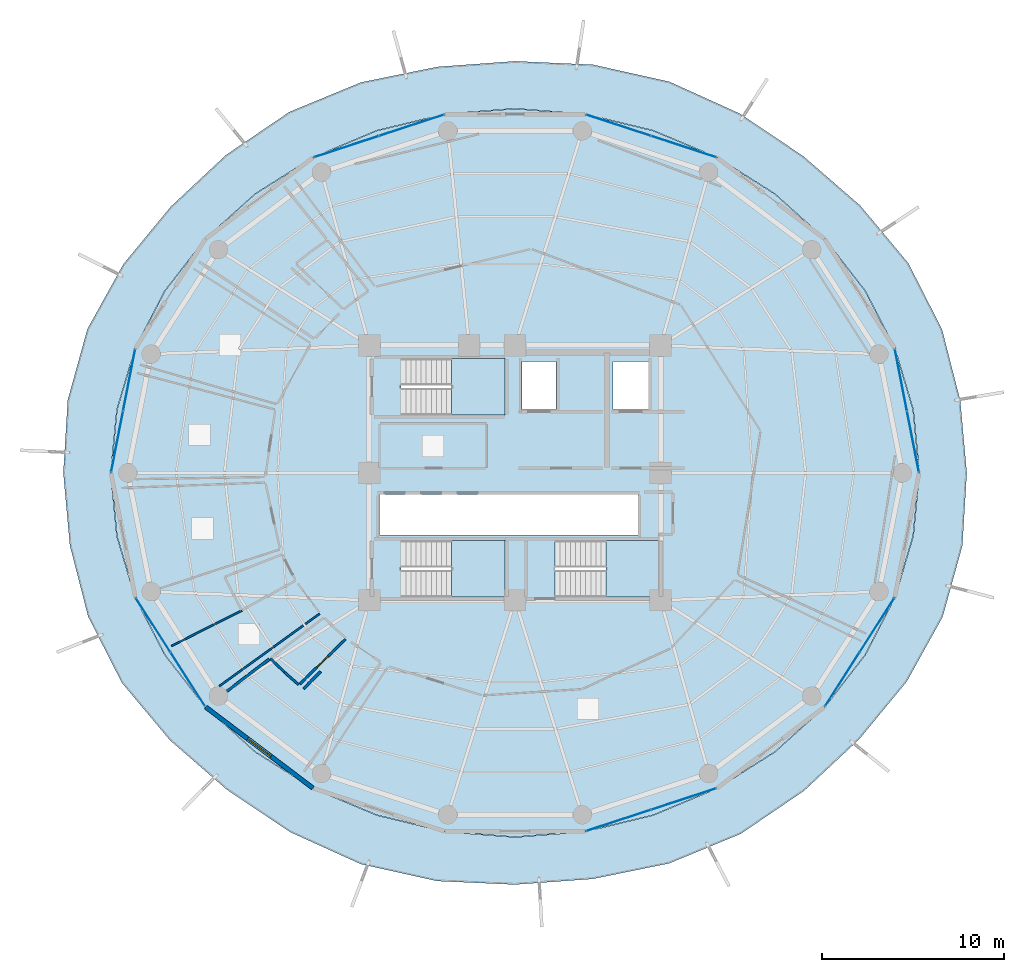
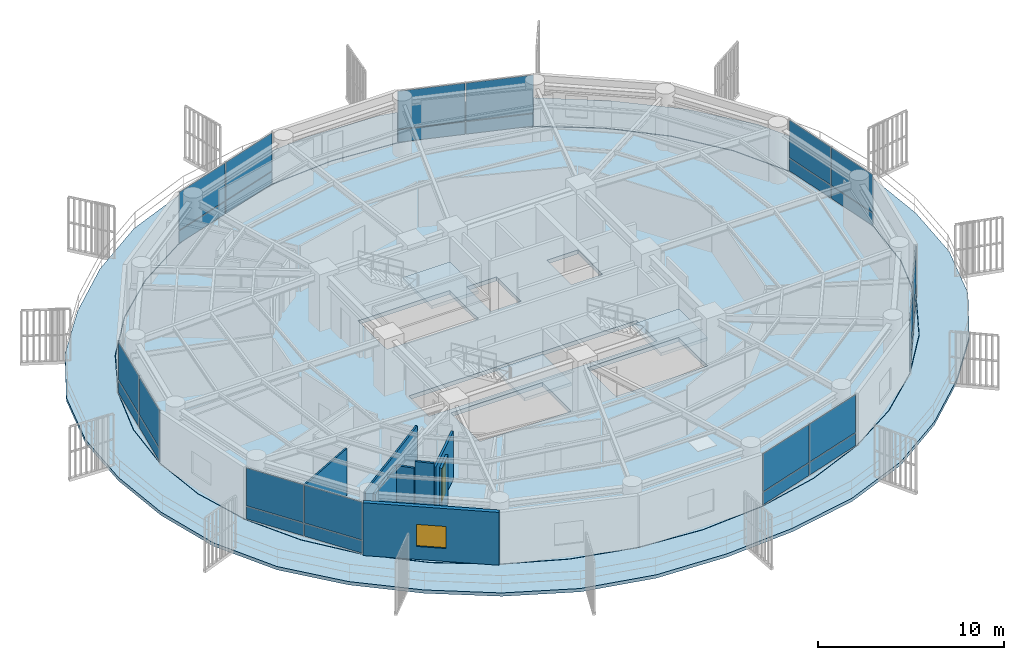
# One storey, part 22 of 30: 28 plates, 8 walls, 5 slabs, 1 door, 1 window, 2 openings, 10 elements without a shape of their own.
"""IFC4 building model written with IfcOpenShell, lengths in metres."""

from ifc_helpers import new_model, si_unit, direction, frame, frame_2d, origin, origin_2d, place, context, subcontext, project, spatial, polyline, rectangle, outline, extrude, source, transform, mapped, material, layer, layer_set, type_object, element, fill, aggregate, save


model = new_model("IFC4")

# Units and contexts
model_context = context("Model", 3, precision=1e-05, world=origin(), true_north=direction((0.0, 1.0)))
body_context = subcontext(model_context, "Body", "Model", "MODEL_VIEW")
ifc_project = project(units=[si_unit("LENGTHUNIT", "METRE"), si_unit("AREAUNIT", "SQUARE_METRE"), si_unit("VOLUMEUNIT", "CUBIC_METRE"), si_unit("PLANEANGLEUNIT", "RADIAN"), si_unit("MASSUNIT", "GRAM", prefix="KILO")], contexts=[model_context])

# Site, building, storey
site_placement = place(None, origin())
site = spatial("IfcSite", under=ifc_project, at=site_placement, CompositionType="ELEMENT")
building_placement = place(site_placement, origin())
building = spatial("IfcBuilding", under=site, at=building_placement, Name="Kelanora Arch Commons", CompositionType="ELEMENT")
storey_placement = place(building_placement, frame((0.0, 0.0, 208.199951171875)))
storey = spatial("IfcBuildingStorey", under=building, at=storey_placement, Name="L53", CompositionType="ELEMENT", Elevation=208.199951171875)

# Stair, slab
ifc_material_1 = material(Name="Concrete C40/50", Category="concrete")
stair_type = type_object("IfcStairType", Name="STR-DL-375", PredefinedType="HALF_TURN_STAIR", material=ifc_material_1)
stair_1_placement = place(storey_placement, origin())
stair_1 = element("IfcStair", 1, at=stair_1_placement, inside=storey, type_object=stair_type, Name="L53 ST-T1", PredefinedType="HALF_TURN_STAIR")
ifc_layer_1 = layer(ifc_material_1, 0.199951171875)
ifc_layer_set_1 = layer_set([ifc_layer_1], Name="Concrete C40/50")
slab_type_1 = type_object("IfcSlabType", Name="SLB-STAIR-LND", PredefinedType="LANDING", material=ifc_layer_set_1)
slab_1_placement = place(storey_placement, frame((0.0, 0.0, 1.675048828125)))
slab_1 = element("IfcSlab", 2, at=slab_1_placement, type_object=slab_type_1, Name="ST-T1 landing 1", PredefinedType="LANDING", context=body_context, shape_type="SweptSolid", body=[
    extrude(outline(polyline([(70.52001953125, 61.179931640625), (73.43994140625, 61.179931640625), (73.43994140625, 64.2900390625), (70.52001953125, 64.2900390625), (70.52001953125, 61.179931640625)])), origin(), (0.0, 0.0, 1.0), 0.199951171875),
])
aggregate(stair_1, [slab_1])

stair_2_placement = place(storey_placement, origin())
stair_2 = element("IfcStair", 3, at=stair_2_placement, inside=storey, type_object=stair_type, Name="L53 ST-T2", PredefinedType="HALF_TURN_STAIR")
slab_2_placement = place(storey_placement, frame((0.0, 0.0, 1.675048828125)))
slab_2 = element("IfcSlab", 4, at=slab_2_placement, type_object=slab_type_1, Name="ST-T2 landing 1", PredefinedType="LANDING", context=body_context, shape_type="SweptSolid", body=[
    extrude(outline(polyline([(79.0, 51.179931640625), (81.919921875, 51.179931640625), (81.919921875, 54.2900390625), (79.0, 54.2900390625), (79.0, 51.179931640625)])), origin(), (0.0, 0.0, 1.0), 0.199951171875),
])
aggregate(stair_2, [slab_2])

stair_3_placement = place(storey_placement, origin())
stair_3 = element("IfcStair", 5, at=stair_3_placement, inside=storey, type_object=stair_type, Name="L53 ST-T3", PredefinedType="HALF_TURN_STAIR")
slab_3_placement = place(storey_placement, frame((0.0, 0.0, 1.675048828125)))
slab_3 = element("IfcSlab", 6, at=slab_3_placement, type_object=slab_type_1, Name="ST-T3 landing 1", PredefinedType="LANDING", context=body_context, shape_type="SweptSolid", body=[
    extrude(outline(polyline([(70.52001953125, 51.179931640625), (73.43994140625, 51.179931640625), (73.43994140625, 54.2900390625), (70.52001953125, 54.2900390625), (70.52001953125, 51.179931640625)])), origin(), (0.0, 0.0, 1.0), 0.199951171875),
])
aggregate(stair_3, [slab_3])

# Slabs
ifc_layer_2 = layer(ifc_material_1, 0.260009765625)
ifc_layer_set_2 = layer_set([ifc_layer_2], Name="Concrete C40/50")
slab_type_2 = type_object("IfcSlabType", Name="SLB-TWR-TYP", PredefinedType="FLOOR", material=ifc_layer_set_2)
slab_4_placement = place(storey_placement, frame((0.0, 0.0, -0.260009765625)))
element("IfcSlab", 7, at=slab_4_placement, inside=storey, type_object=slab_type_2, Name="Tower Floor Slab L53", PredefinedType="FLOOR", context=body_context, shape_type="SweptSolid", body=[
    extrude(outline(polyline([(96.199951171875, 58.0), (95.86279296875, 61.472900390625), (94.861083984375, 64.84033203125), (93.225830078125, 68.0), (91.006103515625, 70.855712890625), (88.27001953125, 73.32080078125), (85.10009765625, 75.320556640625), (81.5927734375, 76.7939453125), (77.85498046875, 77.6962890625), (74.0, 78.0), (70.14501953125, 77.6962890625), (66.4072265625, 76.7939453125), (62.89990234375, 75.320556640625), (59.72998046875, 73.32080078125), (56.993896484375, 70.855712890625), (54.774169921875, 68.0), (53.138916015625, 64.84033203125), (52.13720703125, 61.472900390625), (51.800048828125, 58.0), (52.13720703125, 54.527099609375), (53.138916015625, 51.15966796875), (54.774169921875, 48.0), (56.993896484375, 45.144287109375), (59.72998046875, 42.67919921875), (62.89990234375, 40.679443359375), (66.4072265625, 39.2060546875), (70.14501953125, 38.3037109375), (74.0, 38.0), (77.85498046875, 38.3037109375), (81.5927734375, 39.2060546875), (85.10009765625, 40.679443359375), (88.27001953125, 42.67919921875), (91.006103515625, 45.144287109375), (93.225830078125, 48.0), (94.861083984375, 51.15966796875), (95.86279296875, 54.527099609375), (96.199951171875, 58.0)]), holes=[polyline([(73.431884765625, 51.18798828125), (67.72802734375, 51.18798828125), (67.72802734375, 54.281982421875), (73.431884765625, 54.281982421875), (73.431884765625, 51.18798828125)]), polyline([(76.2080078125, 51.18798828125), (76.2080078125, 54.281982421875), (81.912109375, 54.281982421875), (81.912109375, 51.18798828125), (76.2080078125, 51.18798828125)]), polyline([(66.550048828125, 54.60009765625), (66.550048828125, 56.800048828125), (80.75, 56.800048828125), (80.75, 54.60009765625), (66.550048828125, 54.60009765625)]), polyline([(73.431884765625, 61.18798828125), (67.72802734375, 61.18798828125), (67.72802734375, 64.281982421875), (73.431884765625, 64.281982421875), (73.431884765625, 61.18798828125)]), polyline([(74.3798828125, 61.47998046875), (74.3798828125, 64.1201171875), (76.260009765625, 64.1201171875), (76.260009765625, 61.47998046875), (74.3798828125, 61.47998046875)]), polyline([(79.3798828125, 61.47998046875), (79.3798828125, 64.1201171875), (81.320068359375, 64.1201171875), (81.320068359375, 61.47998046875), (79.3798828125, 61.47998046875)])]), origin(), (0.0, 0.0, 1.0), 0.260009765625),
])
ifc_layer_3 = layer(ifc_material_1, 0.219970703125)
ifc_layer_set_3 = layer_set([ifc_layer_3], Name="Concrete C40/50")
slab_type_3 = type_object("IfcSlabType", Name="SLB-WAVE-BAL", PredefinedType="FLOOR", material=ifc_layer_set_3)
slab_5_placement = place(storey_placement, frame((0.0, 0.0, -0.219970703125)))
element("IfcSlab", 8, at=slab_5_placement, inside=storey, type_object=slab_type_3, Name="Sinusoidal Wave Balcony Slab L53", PredefinedType="FLOOR", context=body_context, shape_type="SweptSolid", body=[
    extrude(outline(polyline([(98.818359375, 58.0), (98.458740234375, 61.981201171875), (97.456787109375, 65.88916015625), (95.605224609375, 69.52490234375), (92.96826171875, 72.68310546875), (89.84033203125, 75.398193359375), (86.356201171875, 77.735595703125), (82.477783203125, 79.492919921875), (78.28857421875, 80.42529296875), (74.0, 80.618408203125), (69.72998046875, 80.30859375), (65.534912109375, 79.4541015625), (61.595703125, 77.827880859375), (58.11328125, 75.459716796875), (55.088134765625, 72.630615234375), (52.482177734375, 69.468994140625), (50.505126953125, 65.904296875), (49.42529296875, 62.00390625), (49.181640625, 58.0), (49.541259765625, 54.018798828125), (50.543212890625, 50.11083984375), (52.394775390625, 46.47509765625), (55.03173828125, 43.31689453125), (58.15966796875, 40.601806640625), (61.643798828125, 38.264404296875), (65.522216796875, 36.507080078125), (69.71142578125, 35.57470703125), (74.0, 35.381591796875), (78.27001953125, 35.69140625), (82.465087890625, 36.5458984375), (86.404296875, 38.172119140625), (89.88671875, 40.540283203125), (92.911865234375, 43.369384765625), (95.517822265625, 46.531005859375), (97.494873046875, 50.095703125), (98.57470703125, 53.99609375), (98.818359375, 58.0)]), holes=[polyline([(95.88232421875, 54.523681640625), (94.8798828125, 51.15283203125), (93.2431640625, 47.989990234375), (91.021484375, 45.13134765625), (88.28271484375, 42.663818359375), (85.110107421875, 40.662109375), (81.599609375, 39.1875), (77.8583984375, 38.2841796875), (74.0, 37.97998046875), (70.1416015625, 38.2841796875), (66.400390625, 39.1875), (62.889892578125, 40.662109375), (59.71728515625, 42.663818359375), (56.978515625, 45.13134765625), (54.7568359375, 47.989990234375), (53.1201171875, 51.15283203125), (52.11767578125, 54.523681640625), (51.780029296875, 58.0), (52.11767578125, 61.476318359375), (53.1201171875, 64.84716796875), (54.7568359375, 68.010009765625), (56.978515625, 70.86865234375), (59.71728515625, 73.336181640625), (62.889892578125, 75.337890625), (66.400390625, 76.8125), (70.1416015625, 77.7158203125), (74.0, 78.02001953125), (77.8583984375, 77.7158203125), (81.599609375, 76.8125), (85.110107421875, 75.337890625), (88.28271484375, 73.336181640625), (91.021484375, 70.86865234375), (93.2431640625, 68.010009765625), (94.8798828125, 64.84716796875), (95.88232421875, 61.476318359375), (96.219970703125, 58.0), (95.88232421875, 54.523681640625)])]), origin(), (0.0, 0.0, 1.0), 0.219970703125),
])

# Curtain wall, plates
ifc_material_2 = material(Name="Terracotta ceramic-fritted low-E glass and aluminium", Category="masonry")
ifc_layer_4 = layer(ifc_material_2, 0.175048828125)
ifc_layer_set_4 = layer_set([ifc_layer_4], Name="Terracotta ceramic-fritted low-E glass and aluminium")
curtain_wall_type = type_object("IfcCurtainWallType", Name="CW-SYS-02", PredefinedType="NOTDEFINED", material=ifc_layer_set_4)
curtain_wall_1_placement = place(storey_placement, origin())
curtain_wall_1 = element("IfcCurtainWall", 9, at=curtain_wall_1_placement, inside=storey, type_object=curtain_wall_type, Name="Unitised Curtain Wall L53-B00", PredefinedType="NOTDEFINED")
ifc_material_3 = material(Name="Terracotta ceramic-fritted double glazing", Category="masonry")
ifc_layer_5 = layer(ifc_material_3, 0.028076171875)
ifc_layer_set_5 = layer_set([ifc_layer_5], Name="Terracotta ceramic-fritted double glazing")
plate_type = type_object("IfcPlateType", Name="CWP-FRIT", PredefinedType="CURTAIN_PANEL", material=ifc_layer_set_5)
shared_shape_1 = source(origin(), body_context, "Body", "SweptSolid", [
    extrude(rectangle(XDim=3.380126953125, YDim=0.028076171875, at=origin_2d()), origin(), (0.0, 0.0, 1.0), 0.81005859375),
])
plate_1_placement = place(storey_placement, frame((95.861083984375, 59.732177734375, 0.06005859375), z_axis=(0.0, 0.0, 1.0), x_axis=(-0.192068926335, 0.981381438349, 0.0)))
plate_1 = element("IfcPlate", 10, at=plate_1_placement, type_object=plate_type, Name="CW-02 panel 1.1", PredefinedType="CURTAIN_PANEL", context=body_context, shape_type="MappedRepresentation", body=[
    mapped(shared_shape_1, transform((0.0, 0.0, 0.0), scale=1.0)),
])
plate_2_placement = place(storey_placement, frame((95.2001953125, 63.108154296875, 0.06005859375), z_axis=(0.0, 0.0, 1.0), x_axis=(-0.192068926335, 0.981381438349, 0.0)))
plate_2 = element("IfcPlate", 11, at=plate_2_placement, type_object=plate_type, Name="CW-02 panel 2.1", PredefinedType="CURTAIN_PANEL", context=body_context, shape_type="MappedRepresentation", body=[
    mapped(shared_shape_1, transform((0.0, 0.0, 0.0), scale=1.0)),
])

curtain_wall_2_placement = place(storey_placement, origin())
curtain_wall_2 = element("IfcCurtainWall", 12, at=curtain_wall_2_placement, inside=storey, type_object=curtain_wall_type, Name="Unitised Curtain Wall L53-B08", PredefinedType="NOTDEFINED")
plate_3_placement = place(storey_placement, frame((52.7998046875, 63.108154296875, 0.06005859375), z_axis=(0.0, 0.0, 1.0), x_axis=(-0.192068926335, -0.981381438349, 0.0)))
plate_3 = element("IfcPlate", 13, at=plate_3_placement, type_object=plate_type, Name="CW-02 panel 1.1", PredefinedType="CURTAIN_PANEL", context=body_context, shape_type="MappedRepresentation", body=[
    mapped(shared_shape_1, transform((0.0, 0.0, 0.0), scale=1.0)),
])
plate_4_placement = place(storey_placement, frame((52.138916015625, 59.732177734375, 0.06005859375), z_axis=(0.0, 0.0, 1.0), x_axis=(-0.192068926335, -0.981381438349, 0.0)))
plate_4 = element("IfcPlate", 14, at=plate_4_placement, type_object=plate_type, Name="CW-02 panel 2.1", PredefinedType="CURTAIN_PANEL", context=body_context, shape_type="MappedRepresentation", body=[
    mapped(shared_shape_1, transform((0.0, 0.0, 0.0), scale=1.0)),
])

# Plate
shared_shape_2 = source(origin(), body_context, "Body", "SweptSolid", [
    extrude(rectangle(XDim=3.380126953125, YDim=0.028076171875, at=origin_2d()), origin(), (0.0, 0.0, 1.0), 2.485107421875),
])
plate_5_placement = place(storey_placement, frame((95.861083984375, 59.732177734375, 0.93017578125), z_axis=(0.0, 0.0, 1.0), x_axis=(-0.192068926335, 0.981381438349, 0.0)))
plate_5 = element("IfcPlate", 15, at=plate_5_placement, type_object=plate_type, Name="CW-02 panel 1.2", PredefinedType="CURTAIN_PANEL", context=body_context, shape_type="MappedRepresentation", body=[
    mapped(shared_shape_2, transform((0.0, 0.0, 0.0), scale=1.0)),
])

plate_6_placement = place(storey_placement, frame((95.2001953125, 63.108154296875, 0.93017578125), z_axis=(0.0, 0.0, 1.0), x_axis=(-0.192068926335, 0.981381438349, 0.0)))
plate_6 = element("IfcPlate", 16, at=plate_6_placement, type_object=plate_type, Name="CW-02 panel 2.2", PredefinedType="CURTAIN_PANEL", context=body_context, shape_type="MappedRepresentation", body=[
    mapped(shared_shape_2, transform((0.0, 0.0, 0.0), scale=1.0)),
])

aggregate(curtain_wall_1, [plate_1, plate_5, plate_2, plate_6])

plate_7_placement = place(storey_placement, frame((52.7998046875, 63.108154296875, 0.93017578125), z_axis=(0.0, 0.0, 1.0), x_axis=(-0.192068926335, -0.981381438349, 0.0)))
plate_7 = element("IfcPlate", 17, at=plate_7_placement, type_object=plate_type, Name="CW-02 panel 1.2", PredefinedType="CURTAIN_PANEL", context=body_context, shape_type="MappedRepresentation", body=[
    mapped(shared_shape_2, transform((0.0, 0.0, 0.0), scale=1.0)),
])

plate_8_placement = place(storey_placement, frame((52.138916015625, 59.732177734375, 0.93017578125), z_axis=(0.0, 0.0, 1.0), x_axis=(-0.192068926335, -0.981381438349, 0.0)))
plate_8 = element("IfcPlate", 18, at=plate_8_placement, type_object=plate_type, Name="CW-02 panel 2.2", PredefinedType="CURTAIN_PANEL", context=body_context, shape_type="MappedRepresentation", body=[
    mapped(shared_shape_2, transform((0.0, 0.0, 0.0), scale=1.0)),
])

aggregate(curtain_wall_2, [plate_3, plate_7, plate_4, plate_8])

# Curtain wall, plates
curtain_wall_3_placement = place(storey_placement, origin())
curtain_wall_3 = element("IfcCurtainWall", 19, at=curtain_wall_3_placement, inside=storey, type_object=curtain_wall_type, Name="Unitised Curtain Wall L53-B03", PredefinedType="NOTDEFINED")
shared_shape_3 = source(origin(), body_context, "Body", "SweptSolid", [
    extrude(rectangle(XDim=3.707275390625, YDim=0.028076171875, at=origin_2d()), origin(), (0.0, 0.0, 1.0), 0.81005859375),
])
plate_9_placement = place(storey_placement, frame((83.267333984375, 75.92138671875, 0.06005859375), z_axis=(0.0, 0.0, 1.0), x_axis=(-0.950219124029, 0.311582439059, 0.0)))
plate_9 = element("IfcPlate", 20, at=plate_9_placement, type_object=plate_type, Name="CW-02 panel 1.1", PredefinedType="CURTAIN_PANEL", context=body_context, shape_type="MappedRepresentation", body=[
    mapped(shared_shape_3, transform((0.0, 0.0, 0.0), scale=1.0)),
])
plate_10_placement = place(storey_placement, frame((79.687744140625, 77.09521484375, 0.06005859375), z_axis=(0.0, 0.0, 1.0), x_axis=(-0.950219124029, 0.311582439059, 0.0)))
plate_10 = element("IfcPlate", 21, at=plate_10_placement, type_object=plate_type, Name="CW-02 panel 2.1", PredefinedType="CURTAIN_PANEL", context=body_context, shape_type="MappedRepresentation", body=[
    mapped(shared_shape_3, transform((0.0, 0.0, 0.0), scale=1.0)),
])

curtain_wall_4_placement = place(storey_placement, origin())
curtain_wall_4 = element("IfcCurtainWall", 22, at=curtain_wall_4_placement, inside=storey, type_object=curtain_wall_type, Name="Unitised Curtain Wall L53-B05", PredefinedType="NOTDEFINED")
plate_11_placement = place(storey_placement, frame((68.312255859375, 77.09521484375, 0.06005859375), z_axis=(0.0, 0.0, 1.0), x_axis=(-0.950219124029, -0.311582439059, 0.0)))
plate_11 = element("IfcPlate", 23, at=plate_11_placement, type_object=plate_type, Name="CW-02 panel 1.1", PredefinedType="CURTAIN_PANEL", context=body_context, shape_type="MappedRepresentation", body=[
    mapped(shared_shape_3, transform((0.0, 0.0, 0.0), scale=1.0)),
])
plate_12_placement = place(storey_placement, frame((64.732666015625, 75.92138671875, 0.06005859375), z_axis=(0.0, 0.0, 1.0), x_axis=(-0.950219124029, -0.311582439059, 0.0)))
plate_12 = element("IfcPlate", 24, at=plate_12_placement, type_object=plate_type, Name="CW-02 panel 2.1", PredefinedType="CURTAIN_PANEL", context=body_context, shape_type="MappedRepresentation", body=[
    mapped(shared_shape_3, transform((0.0, 0.0, 0.0), scale=1.0)),
])

curtain_wall_5_placement = place(storey_placement, origin())
curtain_wall_5 = element("IfcCurtainWall", 25, at=curtain_wall_5_placement, inside=storey, type_object=curtain_wall_type, Name="Unitised Curtain Wall L53-B14", PredefinedType="NOTDEFINED")
plate_13_placement = place(storey_placement, frame((79.687744140625, 38.90478515625, 0.06005859375), z_axis=(0.0, 0.0, 1.0), x_axis=(0.950219124029, 0.311582439059, 0.0)))
plate_13 = element("IfcPlate", 26, at=plate_13_placement, type_object=plate_type, Name="CW-02 panel 1.1", PredefinedType="CURTAIN_PANEL", context=body_context, shape_type="MappedRepresentation", body=[
    mapped(shared_shape_3, transform((0.0, 0.0, 0.0), scale=1.0)),
])
plate_14_placement = place(storey_placement, frame((83.267333984375, 40.07861328125, 0.06005859375), z_axis=(0.0, 0.0, 1.0), x_axis=(0.950219124029, 0.311582439059, 0.0)))
plate_14 = element("IfcPlate", 27, at=plate_14_placement, type_object=plate_type, Name="CW-02 panel 2.1", PredefinedType="CURTAIN_PANEL", context=body_context, shape_type="MappedRepresentation", body=[
    mapped(shared_shape_3, transform((0.0, 0.0, 0.0), scale=1.0)),
])

# Plate
shared_shape_4 = source(origin(), body_context, "Body", "SweptSolid", [
    extrude(rectangle(XDim=3.707275390625, YDim=0.028076171875, at=origin_2d()), origin(), (0.0, 0.0, 1.0), 2.485107421875),
])
plate_15_placement = place(storey_placement, frame((83.267333984375, 75.92138671875, 0.93017578125), z_axis=(0.0, 0.0, 1.0), x_axis=(-0.950219124029, 0.311582439059, 0.0)))
plate_15 = element("IfcPlate", 28, at=plate_15_placement, type_object=plate_type, Name="CW-02 panel 1.2", PredefinedType="CURTAIN_PANEL", context=body_context, shape_type="MappedRepresentation", body=[
    mapped(shared_shape_4, transform((0.0, 0.0, 0.0), scale=1.0)),
])

plate_16_placement = place(storey_placement, frame((79.687744140625, 77.09521484375, 0.93017578125), z_axis=(0.0, 0.0, 1.0), x_axis=(-0.950219124029, 0.311582439059, 0.0)))
plate_16 = element("IfcPlate", 29, at=plate_16_placement, type_object=plate_type, Name="CW-02 panel 2.2", PredefinedType="CURTAIN_PANEL", context=body_context, shape_type="MappedRepresentation", body=[
    mapped(shared_shape_4, transform((0.0, 0.0, 0.0), scale=1.0)),
])

aggregate(curtain_wall_3, [plate_9, plate_15, plate_10, plate_16])

plate_17_placement = place(storey_placement, frame((68.312255859375, 77.09521484375, 0.93017578125), z_axis=(0.0, 0.0, 1.0), x_axis=(-0.950219124029, -0.311582439059, 0.0)))
plate_17 = element("IfcPlate", 30, at=plate_17_placement, type_object=plate_type, Name="CW-02 panel 1.2", PredefinedType="CURTAIN_PANEL", context=body_context, shape_type="MappedRepresentation", body=[
    mapped(shared_shape_4, transform((0.0, 0.0, 0.0), scale=1.0)),
])

plate_18_placement = place(storey_placement, frame((64.732666015625, 75.92138671875, 0.93017578125), z_axis=(0.0, 0.0, 1.0), x_axis=(-0.950219124029, -0.311582439059, 0.0)))
plate_18 = element("IfcPlate", 31, at=plate_18_placement, type_object=plate_type, Name="CW-02 panel 2.2", PredefinedType="CURTAIN_PANEL", context=body_context, shape_type="MappedRepresentation", body=[
    mapped(shared_shape_4, transform((0.0, 0.0, 0.0), scale=1.0)),
])

aggregate(curtain_wall_4, [plate_11, plate_17, plate_12, plate_18])

plate_19_placement = place(storey_placement, frame((79.687744140625, 38.90478515625, 0.93017578125), z_axis=(0.0, 0.0, 1.0), x_axis=(0.950219124029, 0.311582439059, 0.0)))
plate_19 = element("IfcPlate", 32, at=plate_19_placement, type_object=plate_type, Name="CW-02 panel 1.2", PredefinedType="CURTAIN_PANEL", context=body_context, shape_type="MappedRepresentation", body=[
    mapped(shared_shape_4, transform((0.0, 0.0, 0.0), scale=1.0)),
])

plate_20_placement = place(storey_placement, frame((83.267333984375, 40.07861328125, 0.93017578125), z_axis=(0.0, 0.0, 1.0), x_axis=(0.950219124029, 0.311582439059, 0.0)))
plate_20 = element("IfcPlate", 33, at=plate_20_placement, type_object=plate_type, Name="CW-02 panel 2.2", PredefinedType="CURTAIN_PANEL", context=body_context, shape_type="MappedRepresentation", body=[
    mapped(shared_shape_4, transform((0.0, 0.0, 0.0), scale=1.0)),
])

aggregate(curtain_wall_5, [plate_13, plate_19, plate_14, plate_20])

# Curtain wall, plates
curtain_wall_6_placement = place(storey_placement, origin())
curtain_wall_6 = element("IfcCurtainWall", 34, at=curtain_wall_6_placement, inside=storey, type_object=curtain_wall_type, Name="Unitised Curtain Wall L53-B10", PredefinedType="NOTDEFINED")
shared_shape_5 = source(origin(), body_context, "Body", "SweptSolid", [
    extrude(rectangle(XDim=3.46728515625, YDim=0.028076171875, at=origin_2d()), origin(), (0.0, 0.0, 1.0), 0.81005859375),
])
plate_21_placement = place(storey_placement, frame((54.11474609375, 49.63671875, 0.06005859375), z_axis=(0.0, 0.0, 1.0), x_axis=(0.539559338994, -0.84194757539, 0.0)))
plate_21 = element("IfcPlate", 35, at=plate_21_placement, type_object=plate_type, Name="CW-02 panel 1.1", PredefinedType="CURTAIN_PANEL", context=body_context, shape_type="MappedRepresentation", body=[
    mapped(shared_shape_5, transform((0.0, 0.0, 0.0), scale=1.0)),
])
plate_22_placement = place(storey_placement, frame((56.017822265625, 46.6669921875, 0.06005859375), z_axis=(0.0, 0.0, 1.0), x_axis=(0.539559338994, -0.84194757539, 0.0)))
plate_22 = element("IfcPlate", 36, at=plate_22_placement, type_object=plate_type, Name="CW-02 panel 2.1", PredefinedType="CURTAIN_PANEL", context=body_context, shape_type="MappedRepresentation", body=[
    mapped(shared_shape_5, transform((0.0, 0.0, 0.0), scale=1.0)),
])

curtain_wall_7_placement = place(storey_placement, origin())
curtain_wall_7 = element("IfcCurtainWall", 37, at=curtain_wall_7_placement, inside=storey, type_object=curtain_wall_type, Name="Unitised Curtain Wall L53-B16", PredefinedType="NOTDEFINED")
plate_23_placement = place(storey_placement, frame((91.982177734375, 46.6669921875, 0.06005859375), z_axis=(0.0, 0.0, 1.0), x_axis=(0.539559338994, 0.84194757539, 0.0)))
plate_23 = element("IfcPlate", 38, at=plate_23_placement, type_object=plate_type, Name="CW-02 panel 1.1", PredefinedType="CURTAIN_PANEL", context=body_context, shape_type="MappedRepresentation", body=[
    mapped(shared_shape_5, transform((0.0, 0.0, 0.0), scale=1.0)),
])
plate_24_placement = place(storey_placement, frame((93.88525390625, 49.63671875, 0.06005859375), z_axis=(0.0, 0.0, 1.0), x_axis=(0.539559338994, 0.84194757539, 0.0)))
plate_24 = element("IfcPlate", 39, at=plate_24_placement, type_object=plate_type, Name="CW-02 panel 2.1", PredefinedType="CURTAIN_PANEL", context=body_context, shape_type="MappedRepresentation", body=[
    mapped(shared_shape_5, transform((0.0, 0.0, 0.0), scale=1.0)),
])

# Plate
shared_shape_6 = source(origin(), body_context, "Body", "SweptSolid", [
    extrude(rectangle(XDim=3.46728515625, YDim=0.028076171875, at=origin_2d()), origin(), (0.0, 0.0, 1.0), 2.485107421875),
])
plate_25_placement = place(storey_placement, frame((54.11474609375, 49.63671875, 0.93017578125), z_axis=(0.0, 0.0, 1.0), x_axis=(0.539559338994, -0.84194757539, 0.0)))
plate_25 = element("IfcPlate", 40, at=plate_25_placement, type_object=plate_type, Name="CW-02 panel 1.2", PredefinedType="CURTAIN_PANEL", context=body_context, shape_type="MappedRepresentation", body=[
    mapped(shared_shape_6, transform((0.0, 0.0, 0.0), scale=1.0)),
])

plate_26_placement = place(storey_placement, frame((56.017822265625, 46.6669921875, 0.93017578125), z_axis=(0.0, 0.0, 1.0), x_axis=(0.539559338994, -0.84194757539, 0.0)))
plate_26 = element("IfcPlate", 41, at=plate_26_placement, type_object=plate_type, Name="CW-02 panel 2.2", PredefinedType="CURTAIN_PANEL", context=body_context, shape_type="MappedRepresentation", body=[
    mapped(shared_shape_6, transform((0.0, 0.0, 0.0), scale=1.0)),
])

aggregate(curtain_wall_6, [plate_21, plate_25, plate_22, plate_26])

plate_27_placement = place(storey_placement, frame((91.982177734375, 46.6669921875, 0.93017578125), z_axis=(0.0, 0.0, 1.0), x_axis=(0.539559338994, 0.84194757539, 0.0)))
plate_27 = element("IfcPlate", 42, at=plate_27_placement, type_object=plate_type, Name="CW-02 panel 1.2", PredefinedType="CURTAIN_PANEL", context=body_context, shape_type="MappedRepresentation", body=[
    mapped(shared_shape_6, transform((0.0, 0.0, 0.0), scale=1.0)),
])

plate_28_placement = place(storey_placement, frame((93.88525390625, 49.63671875, 0.93017578125), z_axis=(0.0, 0.0, 1.0), x_axis=(0.539559338994, 0.84194757539, 0.0)))
plate_28 = element("IfcPlate", 43, at=plate_28_placement, type_object=plate_type, Name="CW-02 panel 2.2", PredefinedType="CURTAIN_PANEL", context=body_context, shape_type="MappedRepresentation", body=[
    mapped(shared_shape_6, transform((0.0, 0.0, 0.0), scale=1.0)),
])

aggregate(curtain_wall_7, [plate_23, plate_27, plate_24, plate_28])

# Walls
ifc_material_4 = material(Name="Autoclaved aerated concrete blockwork with fire plaster", Category="masonry")
ifc_layer_6 = layer(ifc_material_4, 0.14990234375)
ifc_layer_set_6 = layer_set([ifc_layer_6], Name="Autoclaved aerated concrete blockwork with fire plaster")
wall_type_1 = type_object("IfcWallType", Name="W-COMP-150", PredefinedType="PARTITIONING", material=ifc_layer_set_6)
wall_1_placement = place(storey_placement, frame((58.17724609375, 46.006591796875, 0.0), z_axis=(0.0, 0.0, 1.0), x_axis=(0.796666201995, 0.604419525329, 0.0)))
element("IfcWall", 44, at=wall_1_placement, inside=storey, type_object=wall_type_1, Name="Co-Living Studio L53-06 Enclosure Partition 5", PredefinedType="PARTITIONING", context=body_context, shape_type="SweptSolid", body=[
    extrude(rectangle(XDim=2.91064453125, YDim=0.14990234375, at=frame_2d((1.455322265625, 0.0))), origin(), (0.0, 0.0, 1.0), 3.025146484375),
])
wall_2_placement = place(storey_placement, frame((62.389892578125, 46.13671875, 0.0), z_axis=(0.0, 0.0, 1.0), x_axis=(0.699044346204, 0.715078318816, 0.0)))
element("IfcWall", 45, at=wall_2_placement, inside=storey, type_object=wall_type_1, Name="Co-Living Studio L53-06 Enclosure Partition 7", PredefinedType="PARTITIONING", context=body_context, shape_type="SweptSolid", body=[
    extrude(rectangle(XDim=1.32470703125, YDim=0.14990234375, at=frame_2d((0.662353515625, 0.0))), origin(), (0.0, 0.0, 1.0), 3.175048828125),
])

# Wall, opening, window
ifc_material_5 = material(Name="Precast concrete C40/50 upper-zone terracotta rainscreen", Category="masonry")
ifc_layer_7 = layer(ifc_material_5, 0.239990234375)
ifc_layer_set_7 = layer_set([ifc_layer_7], Name="Precast concrete C40/50 upper-zone terracotta rainscreen")
wall_type_2 = type_object("IfcWallType", Name="W-EXT-TC2", PredefinedType="SOLIDWALL", material=ifc_layer_set_7)
wall_3_placement = place(storey_placement, frame((57.005859375, 45.13525390625, 0.0), z_axis=(0.0, 0.0, 1.0), x_axis=(0.797701674595, -0.603052268338, 0.0)))
wall_3 = element("IfcWall", 46, at=wall_3_placement, inside=storey, type_object=wall_type_2, Name="Terracotta Exterior Wall L53-B11", PredefinedType="SOLIDWALL", context=body_context, shape_type="SweptSolid", body=[
    extrude(rectangle(XDim=7.373779296875, YDim=0.239990234375, at=frame_2d((3.68701171875, 0.0))), origin(), (0.0, 0.0, 1.0), 3.47509765625),
])
opening_1_placement = place(wall_3_placement, frame((2.886962890625, 0.0, 0.85009765625)))
opening_1 = element("IfcOpeningElement", 47, at=opening_1_placement, cuts=wall_3, Name="Opening WN-01", PredefinedType="OPENING", context=body_context, shape_type="SweptSolid", body=[
    extrude(rectangle(XDim=1.60009765625, YDim=1.449951171875, at=frame_2d((0.800048828125, 0.72509765625))), frame((0.0, 0.1298828125, 0.0), z_axis=(0.0, -1.0, 0.0), x_axis=(1.0, 0.0, 0.0)), (0.0, 0.0, 1.0), 0.260009765625),
])
ifc_material_6 = material(Name="Terracotta-anodised aluminium frame with operable low-E glazing", Category="masonry")
window_type = type_object("IfcWindowType", Name="WIN-CL-18", PartitioningType="DOUBLE_PANEL_VERTICAL", PredefinedType="WINDOW", material=ifc_material_6)
window_placement = place(opening_1_placement, origin())
window = element("IfcWindow", 48, at=window_placement, inside=storey, type_object=window_type, Name="Co-Living Operable Window L53-B11", OverallHeight=1.449951171875, OverallWidth=1.60009765625, PartitioningType="SINGLE_PANEL", PredefinedType="WINDOW", context=body_context, shape_type="SweptSolid", body=[
    extrude(rectangle(XDim=1.60009765625, YDim=1.449951171875, at=frame_2d((0.800048828125, 0.72509765625))), frame((0.0, 0.030029296875, 0.0), z_axis=(0.0, -1.0, 0.0), x_axis=(1.0, 0.0, 0.0)), (0.0, 0.0, 1.0), 0.06005859375),
])
fill(opening_1, window)

# Walls
ifc_material_7 = material(Name="Lightweight fire-rated acoustic stud partition")
ifc_layer_8 = layer(ifc_material_7, 0.10009765625)
ifc_layer_set_8 = layer_set([ifc_layer_8], Name="Lightweight fire-rated acoustic stud partition")
wall_type_3 = type_object("IfcWallType", Name="W-PART-100", PredefinedType="PARTITIONING", material=ifc_layer_set_8)
wall_4_placement = place(storey_placement, frame((63.259521484375, 50.258544921875, 0.0), z_axis=(0.0, 0.0, 1.0), x_axis=(-0.810850730514, -0.585253016076, 0.0)))
element("IfcWall", 49, at=wall_4_placement, inside=storey, type_object=wall_type_3, Name="Tutorial Study Alcove L53-05 Enclosure Partition 2", PredefinedType="PARTITIONING", context=body_context, shape_type="SweptSolid", body=[
    extrude(rectangle(XDim=6.79296875, YDim=0.10009765625, at=frame_2d((3.396484375, 0.0))), origin(), (0.0, 0.0, 1.0), 3.175048828125),
])
wall_5_placement = place(storey_placement, frame((55.124755859375, 48.490966796875, 0.0), z_axis=(0.0, 0.0, 1.0), x_axis=(0.892902240534, 0.450250584507, 0.0)))
element("IfcWall", 50, at=wall_5_placement, inside=storey, type_object=wall_type_3, Name="Tutorial Study Alcove L53-05 Enclosure Partition 4", PredefinedType="PARTITIONING", context=body_context, shape_type="SweptSolid", body=[
    extrude(rectangle(XDim=4.33740234375, YDim=0.10009765625, at=frame_2d((2.168701171875, 0.0))), origin(), (0.0, 0.0, 1.0), 3.074951171875),
])

# Wall, opening, door
ifc_material_8 = material(Name="Moisture-resistant fire-rated cement-board plumbing wall")
ifc_layer_9 = layer(ifc_material_8, 0.1298828125)
ifc_layer_set_9 = layer_set([ifc_layer_9], Name="Moisture-resistant fire-rated cement-board plumbing wall")
wall_type_4 = type_object("IfcWallType", Name="W-WET-120", PredefinedType="PLUMBINGWALL", material=ifc_layer_set_9)
wall_6_placement = place(storey_placement, frame((64.686279296875, 48.863037109375, 0.0), z_axis=(0.0, 0.0, 1.0), x_axis=(-0.713685369918, -0.700466410875, 0.0)))
wall_6 = element("IfcWall", 51, at=wall_6_placement, inside=storey, type_object=wall_type_4, Name="En-Suite Shower WC L53-06 Entry Partition", PredefinedType="PLUMBINGWALL", context=body_context, shape_type="SweptSolid", body=[
    extrude(rectangle(XDim=3.527587890625, YDim=0.1298828125, at=frame_2d((1.763671875, 0.0))), origin(), (0.0, 0.0, 1.0), 3.175048828125),
])
opening_2_placement = place(wall_6_placement, frame((1.333984375, 0.0, 0.0)))
opening_2 = element("IfcOpeningElement", 52, at=opening_2_placement, cuts=wall_6, Name="Opening D-BT1", PredefinedType="OPENING", context=body_context, shape_type="SweptSolid", body=[
    extrude(rectangle(XDim=0.860107421875, YDim=2.050048828125, at=frame_2d((0.43017578125, 1.02490234375))), frame((0.0, 0.074951171875, 0.0), z_axis=(0.0, -1.0, 0.0), x_axis=(1.0, 0.0, 0.0)), (0.0, 0.0, 1.0), 0.14990234375),
])
ifc_material_9 = material(Name="Moisture-sealed fire-rated accessible bathroom door")
door_type = type_object("IfcDoorType", Name="D-BATH-85", OperationType="NOTDEFINED", PredefinedType="DOOR", material=ifc_material_9)
door_placement = place(opening_2_placement, origin())
door = element("IfcDoor", 53, at=door_placement, inside=storey, type_object=door_type, Name="En-Suite Shower WC L53-06 Door", OperationType="SINGLE_SWING_RIGHT", OverallHeight=2.050048828125, OverallWidth=0.860107421875, PredefinedType="DOOR", context=body_context, shape_type="SweptSolid", body=[
    extrude(rectangle(XDim=0.860107421875, YDim=2.050048828125, at=frame_2d((0.43017578125, 1.02490234375))), frame((0.0, 0.02490234375, 0.0), z_axis=(0.0, -1.0, 0.0), x_axis=(1.0, 0.0, 0.0)), (0.0, 0.0, 1.0), 0.050048828125),
])
fill(opening_2, door)

# Walls
wall_7_placement = place(storey_placement, frame((62.111083984375, 46.36328125, 0.0), z_axis=(0.0, 0.0, 1.0), x_axis=(-0.751599507382, 0.659619724162, 0.0)))
element("IfcWall", 54, at=wall_7_placement, inside=storey, type_object=wall_type_4, Name="En-Suite Shower WC L53-06 Enclosure Partition 4", PredefinedType="PLUMBINGWALL", context=body_context, shape_type="SweptSolid", body=[
    extrude(rectangle(XDim=1.037841796875, YDim=0.1298828125, at=frame_2d((0.51904296875, 0.0))), origin(), (0.0, 0.0, 1.0), 3.47998046875),
])
wall_8_placement = place(storey_placement, frame((61.3017578125, 47.0751953125, 0.0), z_axis=(0.0, 0.0, 1.0), x_axis=(-0.707936648292, 0.706275938996, 0.0)))
element("IfcWall", 55, at=wall_8_placement, inside=storey, type_object=wall_type_4, Name="En-Suite Shower WC L53-06 Enclosure Partition 5", PredefinedType="PLUMBINGWALL", context=body_context, shape_type="SweptSolid", body=[
    extrude(rectangle(XDim=1.029052734375, YDim=0.1298828125, at=frame_2d((0.5146484375, 0.0))), origin(), (0.0, 0.0, 1.0), 3.025146484375),
])

save(model, "model.ifc")
